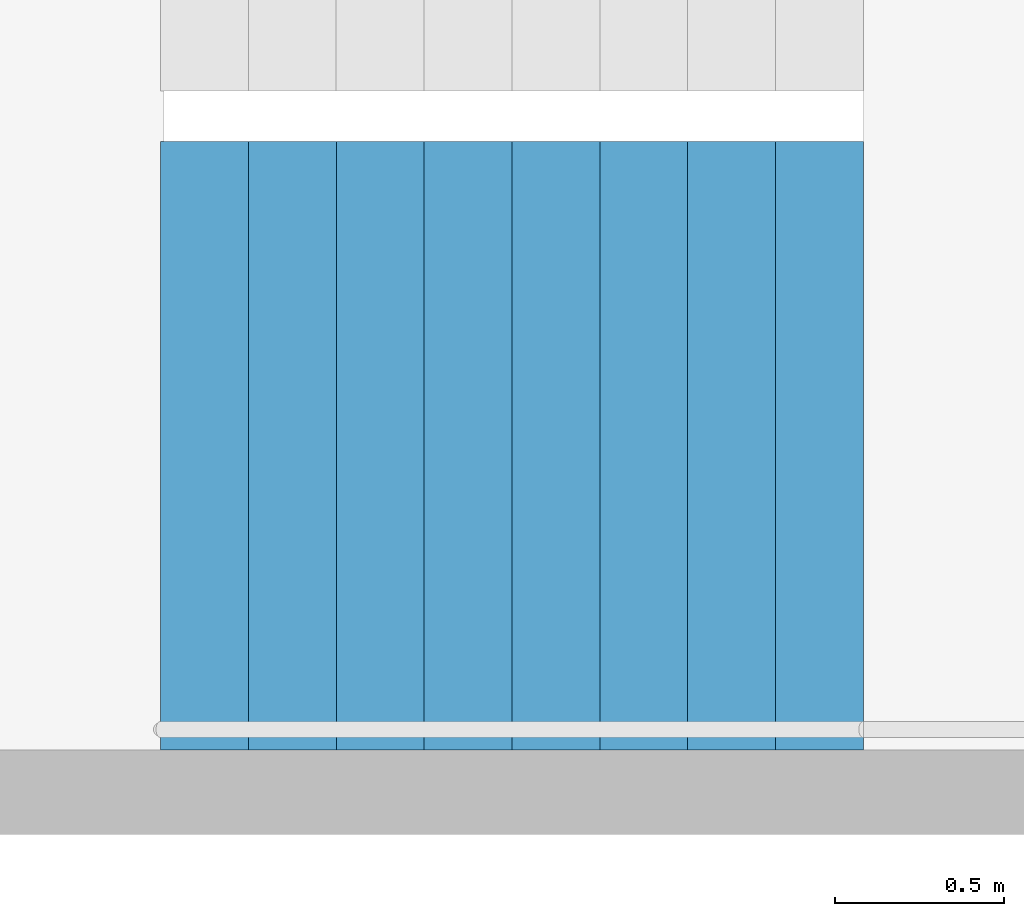
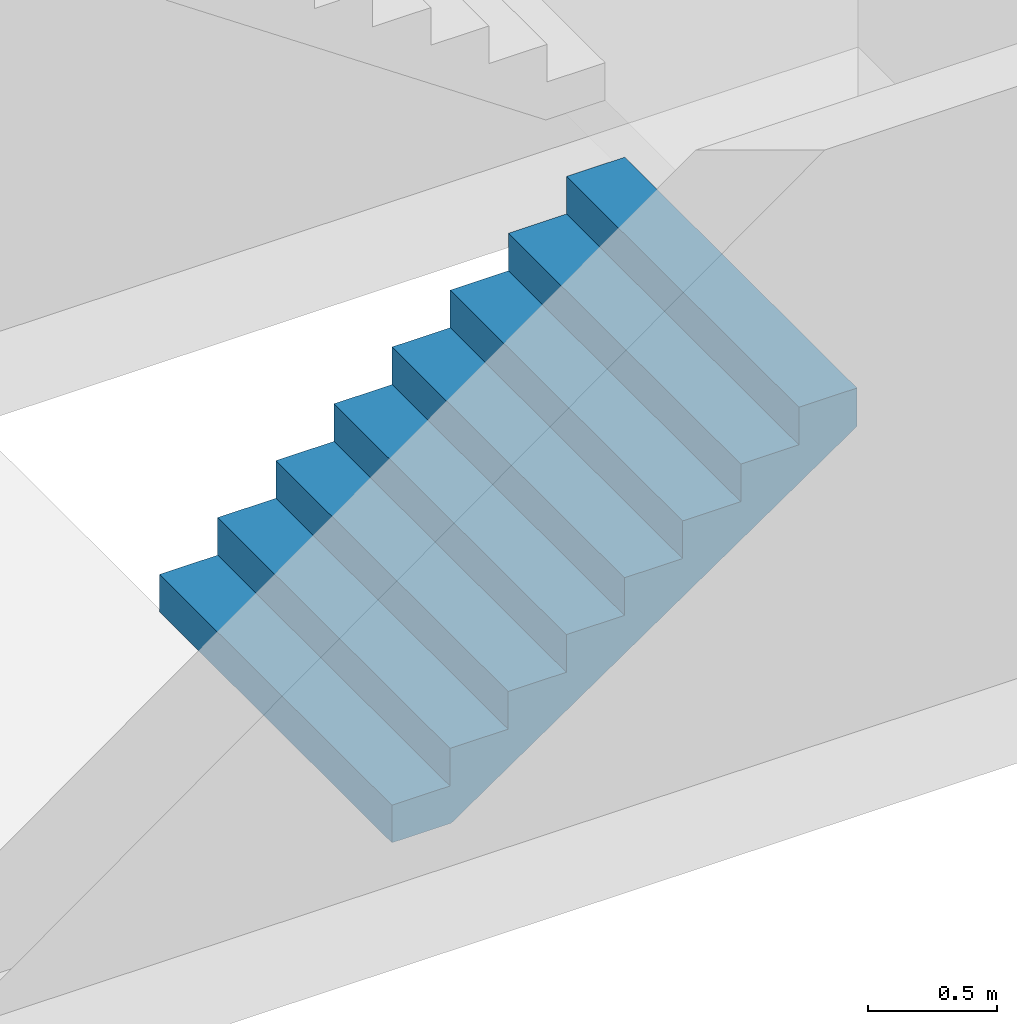
# One storey, part 23 of 29: 1 stair flight, 1 element without a shape of its own.
"""IFC4 building model written with IfcOpenShell, lengths in metres."""

from ifc_helpers import new_model, si_unit, direction, frame, origin, place, context, subcontext, project, spatial, triangles, material, type_object, element, aggregate, save


model = new_model("IFC4")

# Units and contexts
model_context = context("Model", 3, precision=1e-05, world=origin(), true_north=direction((0.0, 1.0)))
body_context = subcontext(model_context, "Body", "Model", "MODEL_VIEW")
ifc_project = project(units=[si_unit("LENGTHUNIT", "METRE"), si_unit("AREAUNIT", "SQUARE_METRE"), si_unit("VOLUMEUNIT", "CUBIC_METRE"), si_unit("PLANEANGLEUNIT", "RADIAN"), si_unit("MASSUNIT", "GRAM", prefix="KILO")], contexts=[model_context])

# Site, building, storey
site_placement = place(None, origin())
site = spatial("IfcSite", under=ifc_project, at=site_placement, CompositionType="ELEMENT")
building_placement = place(site_placement, origin())
building = spatial("IfcBuilding", under=site, at=building_placement, Name="Hakoniwa Tower and Hamabe Station Hall", CompositionType="ELEMENT")
storey_placement = place(building_placement, frame((0.0, 0.0, 110.60009765625)))
storey = spatial("IfcBuildingStorey", under=building, at=storey_placement, Name="L31", CompositionType="ELEMENT", Elevation=110.60009765625)

# Stair, stair flight
ifc_material_1 = material(Name="Concrete C40", Category="concrete")
stair_type = type_object("IfcStairType", Name="ESCAPE STAIR 1800", PredefinedType="HALF_TURN_STAIR", material=ifc_material_1)
stair_placement = place(storey_placement, origin())
stair = element("IfcStair", 1, at=stair_placement, inside=storey, type_object=stair_type, Name="Escape stair ST-1 L31", PredefinedType="HALF_TURN_STAIR")
ifc_material_2 = material(Name="Concrete C40", Category="concrete")
stair_flight_type = type_object("IfcStairFlightType", Name="STAIR FLIGHT 1800", PredefinedType="STRAIGHT", material=ifc_material_2)
stair_flight_placement = place(storey_placement, frame((-24.39990234375, 4.64990234375, 0.0), z_axis=(0.0, 0.0, 1.0), x_axis=(1.0, 0.0, 0.0)))
stair_flight = element("IfcStairFlight", 2, at=stair_flight_placement, type_object=stair_flight_type, Name="ST-1 flight 1", NumberOfRisers=9, NumberOfTreads=8, PredefinedType="STRAIGHT", RiserHeight=0.177777778, TreadLength=0.26, context=body_context, shape_type="Tessellation", body=[
    triangles([(0.0, 0.89990234375, 0.0), (0.260009765625, 0.89990234375, 0.0), (0.265625, 0.89990234375, 0.0), (0.52001953125, 0.89990234375, 0.174072265625), (0.780029296875, 0.89990234375, 0.351806640625), (1.0400390625, 0.89990234375, 0.529541015625), (1.300048828125, 0.89990234375, 0.707275390625), (1.56005859375, 0.89990234375, 0.885009765625), (1.820068359375, 0.89990234375, 1.062744140625), (2.080078125, 0.89990234375, 1.24072265625), (2.080078125, 0.89990234375, 1.422119140625), (1.820068359375, 0.89990234375, 1.422119140625), (1.820068359375, 0.89990234375, 1.244384765625), (1.56005859375, 0.89990234375, 1.244384765625), (1.56005859375, 0.89990234375, 1.066650390625), (1.300048828125, 0.89990234375, 1.066650390625), (1.300048828125, 0.89990234375, 0.888916015625), (1.0400390625, 0.89990234375, 0.888916015625), (1.0400390625, 0.89990234375, 0.711181640625), (0.780029296875, 0.89990234375, 0.711181640625), (0.780029296875, 0.89990234375, 0.533447265625), (0.52001953125, 0.89990234375, 0.533447265625), (0.52001953125, 0.89990234375, 0.35546875), (0.265625, 0.89990234375, 0.35546875), (0.260009765625, 0.89990234375, 0.35546875), (0.260009765625, 0.89990234375, 0.177734375), (0.0, 0.89990234375, 0.177734375), (0.0, 0.06005859375, 0.0), (0.260009765625, 0.06005859375, 0.0), (0.265625, 0.06005859375, 0.0), (0.52001953125, 0.06005859375, 0.174072265625), (0.780029296875, 0.06005859375, 0.351806640625), (1.0400390625, 0.06005859375, 0.529541015625), (1.300048828125, 0.06005859375, 0.707275390625), (1.56005859375, 0.06005859375, 0.885009765625), (1.820068359375, 0.06005859375, 1.062744140625), (2.080078125, 0.06005859375, 1.24072265625), (2.080078125, 0.06005859375, 1.422119140625), (1.820068359375, 0.06005859375, 1.422119140625), (1.820068359375, 0.06005859375, 1.244384765625), (1.56005859375, 0.06005859375, 1.244384765625), (1.56005859375, 0.06005859375, 1.066650390625), (1.300048828125, 0.06005859375, 1.066650390625), (1.300048828125, 0.06005859375, 0.888916015625), (1.0400390625, 0.06005859375, 0.888916015625), (1.0400390625, 0.06005859375, 0.711181640625), (0.780029296875, 0.06005859375, 0.711181640625), (0.780029296875, 0.06005859375, 0.533447265625), (0.52001953125, 0.06005859375, 0.533447265625), (0.52001953125, 0.06005859375, 0.35546875), (0.265625, 0.06005859375, 0.35546875), (0.260009765625, 0.06005859375, 0.35546875), (0.260009765625, 0.06005859375, 0.177734375), (0.0, 0.06005859375, 0.177734375), (0.0, 0.04296875, 0.0), (0.260009765625, 0.04296875, 0.0), (0.265625, 0.04296875, 0.0), (0.52001953125, 0.04296875, 0.174072265625), (0.780029296875, 0.04296875, 0.351806640625), (1.0400390625, 0.04296875, 0.529541015625), (1.300048828125, 0.04296875, 0.707275390625), (1.56005859375, 0.04296875, 0.885009765625), (1.820068359375, 0.04296875, 1.062744140625), (2.080078125, 0.04296875, 1.24072265625), (2.080078125, 0.04296875, 1.422119140625), (1.820068359375, 0.04296875, 1.422119140625), (1.820068359375, 0.04296875, 1.244384765625), (1.56005859375, 0.04296875, 1.244384765625), (1.56005859375, 0.04296875, 1.066650390625), (1.300048828125, 0.04296875, 1.066650390625), (1.300048828125, 0.04296875, 0.888916015625), (1.0400390625, 0.04296875, 0.888916015625), (1.0400390625, 0.04296875, 0.711181640625), (0.780029296875, 0.04296875, 0.711181640625), (0.780029296875, 0.04296875, 0.533447265625), (0.52001953125, 0.04296875, 0.533447265625), (0.52001953125, 0.04296875, 0.35546875), (0.265625, 0.04296875, 0.35546875), (0.260009765625, 0.04296875, 0.35546875), (0.260009765625, 0.04296875, 0.177734375), (0.0, 0.04296875, 0.177734375), (0.0, 0.025634765625, 0.0), (0.260009765625, 0.025634765625, 0.0), (0.265625, 0.025634765625, 0.0), (0.52001953125, 0.025634765625, 0.174072265625), (0.780029296875, 0.025634765625, 0.351806640625), (1.0400390625, 0.025634765625, 0.529541015625), (1.300048828125, 0.025634765625, 0.707275390625), (1.56005859375, 0.025634765625, 0.885009765625), (1.820068359375, 0.025634765625, 1.062744140625), (2.080078125, 0.025634765625, 1.24072265625), (2.080078125, 0.025634765625, 1.422119140625), (1.820068359375, 0.025634765625, 1.422119140625), (1.820068359375, 0.025634765625, 1.244384765625), (1.56005859375, 0.025634765625, 1.244384765625), (1.56005859375, 0.025634765625, 1.066650390625), (1.300048828125, 0.025634765625, 1.066650390625), (1.300048828125, 0.025634765625, 0.888916015625), (1.0400390625, 0.025634765625, 0.888916015625), (1.0400390625, 0.025634765625, 0.711181640625), (0.780029296875, 0.025634765625, 0.711181640625), (0.780029296875, 0.025634765625, 0.533447265625), (0.52001953125, 0.025634765625, 0.533447265625), (0.52001953125, 0.025634765625, 0.35546875), (0.265625, 0.025634765625, 0.35546875), (0.260009765625, 0.025634765625, 0.35546875), (0.260009765625, 0.025634765625, 0.177734375), (0.0, 0.025634765625, 0.177734375), (0.0, 0.008544921875, 0.0), (0.260009765625, 0.008544921875, 0.0), (0.265625, 0.008544921875, 0.0), (0.52001953125, 0.008544921875, 0.174072265625), (0.780029296875, 0.008544921875, 0.351806640625), (1.0400390625, 0.008544921875, 0.529541015625), (1.300048828125, 0.008544921875, 0.707275390625), (1.56005859375, 0.008544921875, 0.885009765625), (1.820068359375, 0.008544921875, 1.062744140625), (2.080078125, 0.008544921875, 1.24072265625), (2.080078125, 0.008544921875, 1.422119140625), (1.820068359375, 0.008544921875, 1.422119140625), (1.820068359375, 0.008544921875, 1.244384765625), (1.56005859375, 0.008544921875, 1.244384765625), (1.56005859375, 0.008544921875, 1.066650390625), (1.300048828125, 0.008544921875, 1.066650390625), (1.300048828125, 0.008544921875, 0.888916015625), (1.0400390625, 0.008544921875, 0.888916015625), (1.0400390625, 0.008544921875, 0.711181640625), (0.780029296875, 0.008544921875, 0.711181640625), (0.780029296875, 0.008544921875, 0.533447265625), (0.52001953125, 0.008544921875, 0.533447265625), (0.52001953125, 0.008544921875, 0.35546875), (0.265625, 0.008544921875, 0.35546875), (0.260009765625, 0.008544921875, 0.35546875), (0.260009765625, 0.008544921875, 0.177734375), (0.0, 0.008544921875, 0.177734375), (0.0, -0.008544921875, 0.0), (0.260009765625, -0.008544921875, 0.0), (0.265625, -0.008544921875, 0.0), (0.52001953125, -0.008544921875, 0.174072265625), (0.780029296875, -0.008544921875, 0.351806640625), (1.0400390625, -0.008544921875, 0.529541015625), (1.300048828125, -0.008544921875, 0.707275390625), (1.56005859375, -0.008544921875, 0.885009765625), (1.820068359375, -0.008544921875, 1.062744140625), (2.080078125, -0.008544921875, 1.24072265625), (2.080078125, -0.008544921875, 1.422119140625), (1.820068359375, -0.008544921875, 1.422119140625), (1.820068359375, -0.008544921875, 1.244384765625), (1.56005859375, -0.008544921875, 1.244384765625), (1.56005859375, -0.008544921875, 1.066650390625), (1.300048828125, -0.008544921875, 1.066650390625), (1.300048828125, -0.008544921875, 0.888916015625), (1.0400390625, -0.008544921875, 0.888916015625), (1.0400390625, -0.008544921875, 0.711181640625), (0.780029296875, -0.008544921875, 0.711181640625), (0.780029296875, -0.008544921875, 0.533447265625), (0.52001953125, -0.008544921875, 0.533447265625), (0.52001953125, -0.008544921875, 0.35546875), (0.265625, -0.008544921875, 0.35546875), (0.260009765625, -0.008544921875, 0.35546875), (0.260009765625, -0.008544921875, 0.177734375), (0.0, -0.008544921875, 0.177734375), (0.0, -0.025634765625, 0.0), (0.260009765625, -0.025634765625, 0.0), (0.265625, -0.025634765625, 0.0), (0.52001953125, -0.025634765625, 0.174072265625), (0.780029296875, -0.025634765625, 0.351806640625), (1.0400390625, -0.025634765625, 0.529541015625), (1.300048828125, -0.025634765625, 0.707275390625), (1.56005859375, -0.025634765625, 0.885009765625), (1.820068359375, -0.025634765625, 1.062744140625), (2.080078125, -0.025634765625, 1.24072265625), (2.080078125, -0.025634765625, 1.422119140625), (1.820068359375, -0.025634765625, 1.422119140625), (1.820068359375, -0.025634765625, 1.244384765625), (1.56005859375, -0.025634765625, 1.244384765625), (1.56005859375, -0.025634765625, 1.066650390625), (1.300048828125, -0.025634765625, 1.066650390625), (1.300048828125, -0.025634765625, 0.888916015625), (1.0400390625, -0.025634765625, 0.888916015625), (1.0400390625, -0.025634765625, 0.711181640625), (0.780029296875, -0.025634765625, 0.711181640625), (0.780029296875, -0.025634765625, 0.533447265625), (0.52001953125, -0.025634765625, 0.533447265625), (0.52001953125, -0.025634765625, 0.35546875), (0.265625, -0.025634765625, 0.35546875), (0.260009765625, -0.025634765625, 0.35546875), (0.260009765625, -0.025634765625, 0.177734375), (0.0, -0.025634765625, 0.177734375), (0.0, -0.04296875, 0.0), (0.260009765625, -0.04296875, 0.0), (0.265625, -0.04296875, 0.0), (0.52001953125, -0.04296875, 0.174072265625), (0.780029296875, -0.04296875, 0.351806640625), (1.0400390625, -0.04296875, 0.529541015625), (1.300048828125, -0.04296875, 0.707275390625), (1.56005859375, -0.04296875, 0.885009765625), (1.820068359375, -0.04296875, 1.062744140625), (2.080078125, -0.04296875, 1.24072265625), (2.080078125, -0.04296875, 1.422119140625), (1.820068359375, -0.04296875, 1.422119140625), (1.820068359375, -0.04296875, 1.244384765625), (1.56005859375, -0.04296875, 1.244384765625), (1.56005859375, -0.04296875, 1.066650390625), (1.300048828125, -0.04296875, 1.066650390625), (1.300048828125, -0.04296875, 0.888916015625), (1.0400390625, -0.04296875, 0.888916015625), (1.0400390625, -0.04296875, 0.711181640625), (0.780029296875, -0.04296875, 0.711181640625), (0.780029296875, -0.04296875, 0.533447265625), (0.52001953125, -0.04296875, 0.533447265625), (0.52001953125, -0.04296875, 0.35546875), (0.265625, -0.04296875, 0.35546875), (0.260009765625, -0.04296875, 0.35546875), (0.260009765625, -0.04296875, 0.177734375), (0.0, -0.04296875, 0.177734375), (0.0, -0.06005859375, 0.0), (0.260009765625, -0.06005859375, 0.0), (0.265625, -0.06005859375, 0.0), (0.52001953125, -0.06005859375, 0.174072265625), (0.780029296875, -0.06005859375, 0.351806640625), (1.0400390625, -0.06005859375, 0.529541015625), (1.300048828125, -0.06005859375, 0.707275390625), (1.56005859375, -0.06005859375, 0.885009765625), (1.820068359375, -0.06005859375, 1.062744140625), (2.080078125, -0.06005859375, 1.24072265625), (2.080078125, -0.06005859375, 1.422119140625), (1.820068359375, -0.06005859375, 1.422119140625), (1.820068359375, -0.06005859375, 1.244384765625), (1.56005859375, -0.06005859375, 1.244384765625), (1.56005859375, -0.06005859375, 1.066650390625), (1.300048828125, -0.06005859375, 1.066650390625), (1.300048828125, -0.06005859375, 0.888916015625), (1.0400390625, -0.06005859375, 0.888916015625), (1.0400390625, -0.06005859375, 0.711181640625), (0.780029296875, -0.06005859375, 0.711181640625), (0.780029296875, -0.06005859375, 0.533447265625), (0.52001953125, -0.06005859375, 0.533447265625), (0.52001953125, -0.06005859375, 0.35546875), (0.265625, -0.06005859375, 0.35546875), (0.260009765625, -0.06005859375, 0.35546875), (0.260009765625, -0.06005859375, 0.177734375), (0.0, -0.06005859375, 0.177734375), (0.0, -0.89990234375, 0.0), (0.260009765625, -0.89990234375, 0.0), (0.265625, -0.89990234375, 0.0), (0.52001953125, -0.89990234375, 0.174072265625), (0.780029296875, -0.89990234375, 0.351806640625), (1.0400390625, -0.89990234375, 0.529541015625), (1.300048828125, -0.89990234375, 0.707275390625), (1.56005859375, -0.89990234375, 0.885009765625), (1.820068359375, -0.89990234375, 1.062744140625), (2.080078125, -0.89990234375, 1.24072265625), (2.080078125, -0.89990234375, 1.422119140625), (1.820068359375, -0.89990234375, 1.422119140625), (1.820068359375, -0.89990234375, 1.244384765625), (1.56005859375, -0.89990234375, 1.244384765625), (1.56005859375, -0.89990234375, 1.066650390625), (1.300048828125, -0.89990234375, 1.066650390625), (1.300048828125, -0.89990234375, 0.888916015625), (1.0400390625, -0.89990234375, 0.888916015625), (1.0400390625, -0.89990234375, 0.711181640625), (0.780029296875, -0.89990234375, 0.711181640625), (0.780029296875, -0.89990234375, 0.533447265625), (0.52001953125, -0.89990234375, 0.533447265625), (0.52001953125, -0.89990234375, 0.35546875), (0.265625, -0.89990234375, 0.35546875), (0.260009765625, -0.89990234375, 0.35546875), (0.260009765625, -0.89990234375, 0.177734375), (0.0, -0.89990234375, 0.177734375)], [[2, 27, 26], [245, 269, 270], [2, 1, 27], [245, 270, 244], [3, 25, 24], [246, 267, 268], [3, 26, 25], [246, 268, 269], [3, 2, 26], [246, 269, 245], [4, 24, 23], [247, 266, 267], [4, 3, 24], [247, 267, 246], [5, 22, 21], [248, 264, 265], [5, 23, 22], [248, 265, 266], [5, 4, 23], [248, 266, 247], [6, 20, 19], [249, 262, 263], [6, 21, 20], [249, 263, 264], [6, 5, 21], [249, 264, 248], [7, 18, 17], [250, 260, 261], [7, 19, 18], [250, 261, 262], [7, 6, 19], [250, 262, 249], [8, 16, 15], [251, 258, 259], [8, 17, 16], [251, 259, 260], [8, 7, 17], [251, 260, 250], [9, 14, 13], [252, 256, 257], [9, 15, 14], [252, 257, 258], [9, 8, 15], [252, 258, 251], [10, 12, 11], [253, 254, 255], [10, 13, 12], [253, 255, 256], [10, 9, 13], [253, 256, 252], [1, 2, 29], [1, 29, 28], [28, 29, 56], [28, 56, 55], [55, 56, 83], [55, 83, 82], [82, 83, 110], [82, 110, 109], [109, 110, 137], [109, 137, 136], [136, 137, 164], [136, 164, 163], [163, 164, 191], [163, 191, 190], [190, 191, 218], [190, 218, 217], [217, 218, 245], [217, 245, 244], [2, 3, 30], [2, 30, 29], [29, 30, 57], [29, 57, 56], [56, 57, 84], [56, 84, 83], [83, 84, 111], [83, 111, 110], [110, 111, 138], [110, 138, 137], [137, 138, 165], [137, 165, 164], [164, 165, 192], [164, 192, 191], [191, 192, 219], [191, 219, 218], [218, 219, 246], [218, 246, 245], [3, 4, 31], [3, 31, 30], [30, 31, 58], [30, 58, 57], [57, 58, 85], [57, 85, 84], [84, 85, 112], [84, 112, 111], [111, 112, 139], [111, 139, 138], [138, 139, 166], [138, 166, 165], [165, 166, 193], [165, 193, 192], [192, 193, 220], [192, 220, 219], [219, 220, 247], [219, 247, 246], [4, 5, 32], [4, 32, 31], [31, 32, 59], [31, 59, 58], [58, 59, 86], [58, 86, 85], [85, 86, 113], [85, 113, 112], [112, 113, 140], [112, 140, 139], [139, 140, 167], [139, 167, 166], [166, 167, 194], [166, 194, 193], [193, 194, 221], [193, 221, 220], [220, 221, 248], [220, 248, 247], [5, 6, 33], [5, 33, 32], [32, 33, 60], [32, 60, 59], [59, 60, 87], [59, 87, 86], [86, 87, 114], [86, 114, 113], [113, 114, 141], [113, 141, 140], [140, 141, 168], [140, 168, 167], [167, 168, 195], [167, 195, 194], [194, 195, 222], [194, 222, 221], [221, 222, 249], [221, 249, 248], [6, 7, 34], [6, 34, 33], [33, 34, 61], [33, 61, 60], [60, 61, 88], [60, 88, 87], [87, 88, 115], [87, 115, 114], [114, 115, 142], [114, 142, 141], [141, 142, 169], [141, 169, 168], [168, 169, 196], [168, 196, 195], [195, 196, 223], [195, 223, 222], [222, 223, 250], [222, 250, 249], [7, 8, 35], [7, 35, 34], [34, 35, 62], [34, 62, 61], [61, 62, 89], [61, 89, 88], [88, 89, 116], [88, 116, 115], [115, 116, 143], [115, 143, 142], [142, 143, 170], [142, 170, 169], [169, 170, 197], [169, 197, 196], [196, 197, 224], [196, 224, 223], [223, 224, 251], [223, 251, 250], [8, 9, 36], [8, 36, 35], [35, 36, 63], [35, 63, 62], [62, 63, 90], [62, 90, 89], [89, 90, 117], [89, 117, 116], [116, 117, 144], [116, 144, 143], [143, 144, 171], [143, 171, 170], [170, 171, 198], [170, 198, 197], [197, 198, 225], [197, 225, 224], [224, 225, 252], [224, 252, 251], [9, 10, 37], [9, 37, 36], [36, 37, 64], [36, 64, 63], [63, 64, 91], [63, 91, 90], [90, 91, 118], [90, 118, 117], [117, 118, 145], [117, 145, 144], [144, 145, 172], [144, 172, 171], [171, 172, 199], [171, 199, 198], [198, 199, 226], [198, 226, 225], [225, 226, 253], [225, 253, 252], [10, 11, 38], [10, 38, 37], [37, 38, 65], [37, 65, 64], [64, 65, 92], [64, 92, 91], [91, 92, 119], [91, 119, 118], [118, 119, 146], [118, 146, 145], [145, 146, 173], [145, 173, 172], [172, 173, 200], [172, 200, 199], [199, 200, 227], [199, 227, 226], [226, 227, 254], [226, 254, 253], [11, 12, 39], [11, 39, 38], [38, 39, 66], [38, 66, 65], [65, 66, 93], [65, 93, 92], [92, 93, 120], [92, 120, 119], [119, 120, 147], [119, 147, 146], [146, 147, 174], [146, 174, 173], [173, 174, 201], [173, 201, 200], [200, 201, 228], [200, 228, 227], [227, 228, 255], [227, 255, 254], [12, 13, 40], [12, 40, 39], [39, 40, 67], [39, 67, 66], [66, 67, 94], [66, 94, 93], [93, 94, 121], [93, 121, 120], [120, 121, 148], [120, 148, 147], [147, 148, 175], [147, 175, 174], [174, 175, 202], [174, 202, 201], [201, 202, 229], [201, 229, 228], [228, 229, 256], [228, 256, 255], [13, 14, 41], [13, 41, 40], [40, 41, 68], [40, 68, 67], [67, 68, 95], [67, 95, 94], [94, 95, 122], [94, 122, 121], [121, 122, 149], [121, 149, 148], [148, 149, 176], [148, 176, 175], [175, 176, 203], [175, 203, 202], [202, 203, 230], [202, 230, 229], [229, 230, 257], [229, 257, 256], [14, 15, 42], [14, 42, 41], [41, 42, 69], [41, 69, 68], [68, 69, 96], [68, 96, 95], [95, 96, 123], [95, 123, 122], [122, 123, 150], [122, 150, 149], [149, 150, 177], [149, 177, 176], [176, 177, 204], [176, 204, 203], [203, 204, 231], [203, 231, 230], [230, 231, 258], [230, 258, 257], [15, 16, 43], [15, 43, 42], [42, 43, 70], [42, 70, 69], [69, 70, 97], [69, 97, 96], [96, 97, 124], [96, 124, 123], [123, 124, 151], [123, 151, 150], [150, 151, 178], [150, 178, 177], [177, 178, 205], [177, 205, 204], [204, 205, 232], [204, 232, 231], [231, 232, 259], [231, 259, 258], [16, 17, 44], [16, 44, 43], [43, 44, 71], [43, 71, 70], [70, 71, 98], [70, 98, 97], [97, 98, 125], [97, 125, 124], [124, 125, 152], [124, 152, 151], [151, 152, 179], [151, 179, 178], [178, 179, 206], [178, 206, 205], [205, 206, 233], [205, 233, 232], [232, 233, 260], [232, 260, 259], [17, 18, 45], [17, 45, 44], [44, 45, 72], [44, 72, 71], [71, 72, 99], [71, 99, 98], [98, 99, 126], [98, 126, 125], [125, 126, 153], [125, 153, 152], [152, 153, 180], [152, 180, 179], [179, 180, 207], [179, 207, 206], [206, 207, 234], [206, 234, 233], [233, 234, 261], [233, 261, 260], [18, 19, 46], [18, 46, 45], [45, 46, 73], [45, 73, 72], [72, 73, 100], [72, 100, 99], [99, 100, 127], [99, 127, 126], [126, 127, 154], [126, 154, 153], [153, 154, 181], [153, 181, 180], [180, 181, 208], [180, 208, 207], [207, 208, 235], [207, 235, 234], [234, 235, 262], [234, 262, 261], [19, 20, 47], [19, 47, 46], [46, 47, 74], [46, 74, 73], [73, 74, 101], [73, 101, 100], [100, 101, 128], [100, 128, 127], [127, 128, 155], [127, 155, 154], [154, 155, 182], [154, 182, 181], [181, 182, 209], [181, 209, 208], [208, 209, 236], [208, 236, 235], [235, 236, 263], [235, 263, 262], [20, 21, 48], [20, 48, 47], [47, 48, 75], [47, 75, 74], [74, 75, 102], [74, 102, 101], [101, 102, 129], [101, 129, 128], [128, 129, 156], [128, 156, 155], [155, 156, 183], [155, 183, 182], [182, 183, 210], [182, 210, 209], [209, 210, 237], [209, 237, 236], [236, 237, 264], [236, 264, 263], [21, 22, 49], [21, 49, 48], [48, 49, 76], [48, 76, 75], [75, 76, 103], [75, 103, 102], [102, 103, 130], [102, 130, 129], [129, 130, 157], [129, 157, 156], [156, 157, 184], [156, 184, 183], [183, 184, 211], [183, 211, 210], [210, 211, 238], [210, 238, 237], [237, 238, 265], [237, 265, 264], [22, 23, 50], [22, 50, 49], [49, 50, 77], [49, 77, 76], [76, 77, 104], [76, 104, 103], [103, 104, 131], [103, 131, 130], [130, 131, 158], [130, 158, 157], [157, 158, 185], [157, 185, 184], [184, 185, 212], [184, 212, 211], [211, 212, 239], [211, 239, 238], [238, 239, 266], [238, 266, 265], [23, 24, 51], [23, 51, 50], [50, 51, 78], [50, 78, 77], [77, 78, 105], [77, 105, 104], [104, 105, 132], [104, 132, 131], [131, 132, 159], [131, 159, 158], [158, 159, 186], [158, 186, 185], [185, 186, 213], [185, 213, 212], [212, 213, 240], [212, 240, 239], [239, 240, 267], [239, 267, 266], [24, 25, 52], [24, 52, 51], [51, 52, 79], [51, 79, 78], [78, 79, 106], [78, 106, 105], [105, 106, 133], [105, 133, 132], [132, 133, 160], [132, 160, 159], [159, 160, 187], [159, 187, 186], [186, 187, 214], [186, 214, 213], [213, 214, 241], [213, 241, 240], [240, 241, 268], [240, 268, 267], [25, 26, 53], [25, 53, 52], [52, 53, 80], [52, 80, 79], [79, 80, 107], [79, 107, 106], [106, 107, 134], [106, 134, 133], [133, 134, 161], [133, 161, 160], [160, 161, 188], [160, 188, 187], [187, 188, 215], [187, 215, 214], [214, 215, 242], [214, 242, 241], [241, 242, 269], [241, 269, 268], [26, 27, 54], [26, 54, 53], [53, 54, 81], [53, 81, 80], [80, 81, 108], [80, 108, 107], [107, 108, 135], [107, 135, 134], [134, 135, 162], [134, 162, 161], [161, 162, 189], [161, 189, 188], [188, 189, 216], [188, 216, 215], [215, 216, 243], [215, 243, 242], [242, 243, 270], [242, 270, 269], [27, 1, 28], [27, 28, 54], [54, 28, 55], [54, 55, 81], [81, 55, 82], [81, 82, 108], [108, 82, 109], [108, 109, 135], [135, 109, 136], [135, 136, 162], [162, 136, 163], [162, 163, 189], [189, 163, 190], [189, 190, 216], [216, 190, 217], [216, 217, 243], [243, 217, 244], [243, 244, 270]], closed=True),
])
aggregate(stair, [stair_flight])

save(model, "model.ifc")
